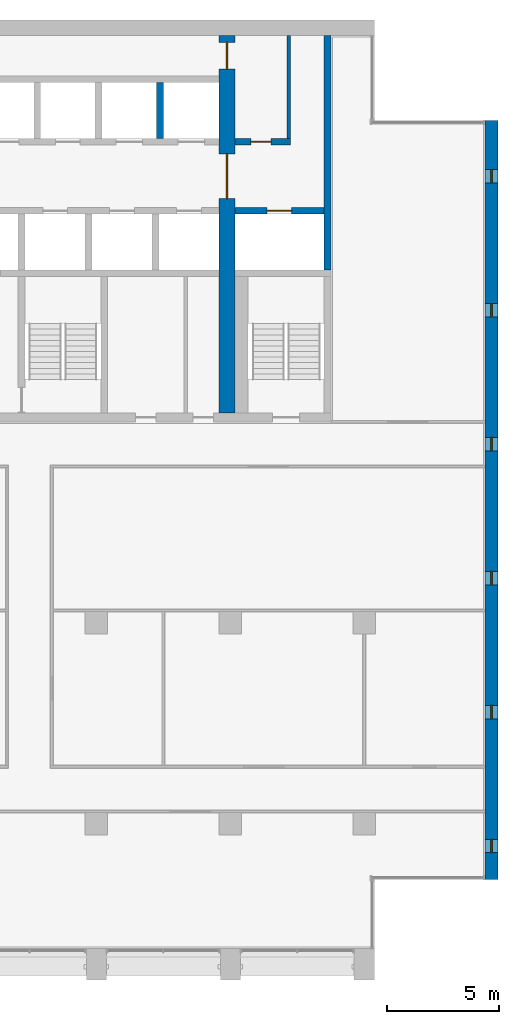
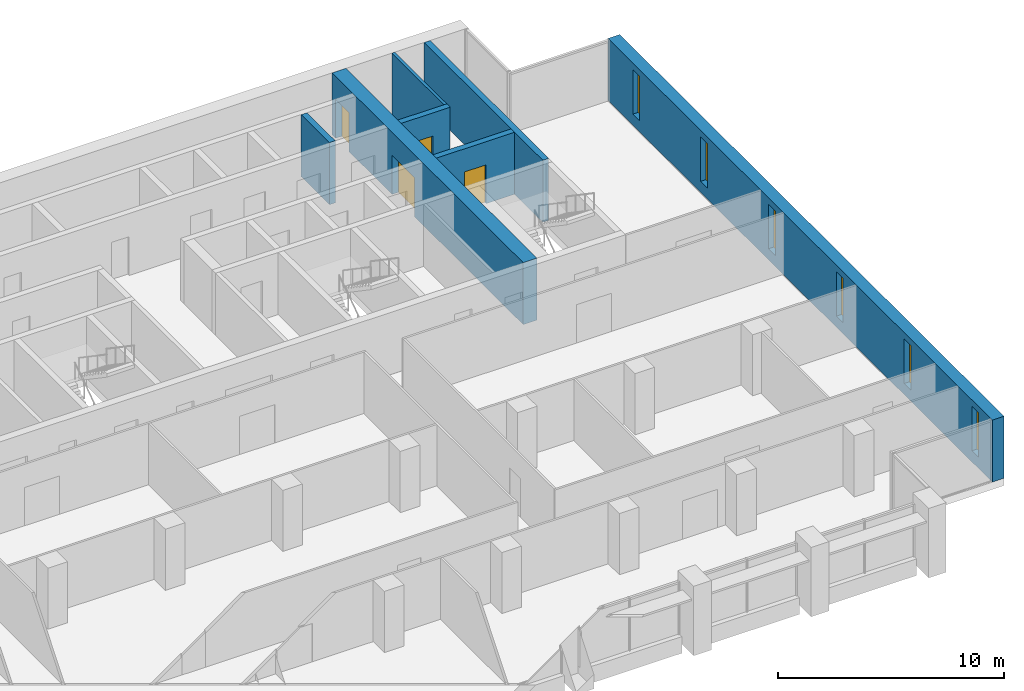
# One storey, part 12 of 17: 7 walls, 6 windows, 4 doors, 10 openings.
"""IFC4 building model written with IfcOpenShell, lengths in metres."""

import ifcopenshell
import ifcopenshell.guid

model = None  # the IFC model being written
_history = None  # IfcOwnerHistory: only IFC2X3 demands one
_inside = {}  # id of a spatial element -> (the spatial element, [elements in it])
_under = {}  # id of a project, library or spatial element -> (it, [spatial elements below it])
_declared = {}  # id of a project -> (the project, [libraries it declares])
_typed = {}  # id of a type object -> (the type object, [elements of that type])
_made_of = {}  # id of a material, layer set ... -> (it, [elements and type objects made of it])


def new_model(schema):
    """Start an empty IFC model of exactly this schema.

    Asked for "IFC4X3", IfcOpenShell would pick the latest addendum, in which some entities
    have other attributes; the version numbers below select the first issue.
    IFC2X3 requires an IfcOwnerHistory on every rooted entity: one is made here for all.
    """
    global model, _history
    if schema == "IFC4X3":
        model = ifcopenshell.file(schema_version=(4, 3, 0, 0))
    else:
        model = ifcopenshell.file(schema=schema)
    _inside.clear()
    _under.clear()
    _declared.clear()
    _typed.clear()
    _made_of.clear()
    _history = None
    if model.schema == "IFC2X3":
        org = make("IfcOrganization", Name="unknown")
        user = make(
            "IfcPersonAndOrganization",
            ThePerson=make("IfcPerson", FamilyName="unknown"),
            TheOrganization=org,
        )
        app = make(
            "IfcApplication",
            ApplicationDeveloper=org,
            Version="unknown",
            ApplicationFullName="unknown",
            ApplicationIdentifier="unknown",
        )
        _history = make(
            "IfcOwnerHistory",
            OwningUser=user,
            OwningApplication=app,
            ChangeAction="ADDED",
            CreationDate=0,
        )
    return model


def make(cls, **values):
    """One entity of the class cls with the attributes given. An attribute that is None is left unset."""
    return model.create_entity(
        cls, **{name: value for name, value in values.items() if value is not None}
    )


def rooted(cls, **values):
    """An entity with a GlobalId (a new one), such as an element, a storey or a relation."""
    return make(cls, GlobalId=ifcopenshell.guid.new(), OwnerHistory=_history, **values)


def si_unit(unit_type, name, prefix=None):
    """IfcSIUnit, for example si_unit("LENGTHUNIT", "METRE", prefix="MILLI")."""
    return make("IfcSIUnit", UnitType=unit_type, Prefix=prefix, Name=name)


def assignment(units):
    """IfcUnitAssignment: the units of a project."""
    return None if units is None else make("IfcUnitAssignment", Units=units)


def point(xyz):
    """IfcCartesianPoint."""
    return None if xyz is None else make("IfcCartesianPoint", Coordinates=xyz)


def direction(xyz):
    """IfcDirection."""
    return None if xyz is None else make("IfcDirection", DirectionRatios=xyz)


def frame(location, z_axis=None, x_axis=None):
    """IfcAxis2Placement3D, a coordinate frame: its origin and axes. An axis left out is left unset."""
    return make(
        "IfcAxis2Placement3D",
        Location=point(location),
        Axis=direction(z_axis),
        RefDirection=direction(x_axis),
    )


def frame_2d(location, x_axis=None):
    """IfcAxis2Placement2D, a coordinate frame in the plane: its origin and x axis."""
    return make(
        "IfcAxis2Placement2D", Location=point(location), RefDirection=direction(x_axis)
    )


def origin():
    """The frame at (0, 0, 0) with its axes left unset."""
    return frame((0.0, 0.0, 0.0))


def place(relative_to, where):
    """IfcLocalPlacement: puts the frame where relative to a parent placement (None: the world)."""
    return make(
        "IfcLocalPlacement", PlacementRelTo=relative_to, RelativePlacement=where
    )


def context(
    kind, dimensions, precision=None, world=None, true_north=None, identifier=None
):
    """IfcGeometricRepresentationContext, for example the 3D "Model" context."""
    return make(
        "IfcGeometricRepresentationContext",
        ContextIdentifier=identifier,
        ContextType=kind,
        CoordinateSpaceDimension=dimensions,
        Precision=precision,
        WorldCoordinateSystem=world,
        TrueNorth=true_north,
    )


def subcontext(parent, identifier, kind, view, scale=None):
    """IfcGeometricRepresentationSubContext, for example "Body" below "Model"."""
    return make(
        "IfcGeometricRepresentationSubContext",
        ContextIdentifier=identifier,
        ContextType=kind,
        ParentContext=parent,
        TargetScale=scale,
        TargetView=view,
    )


def project(units=None, contexts=None):
    """IfcProject with its units and contexts."""
    return rooted(
        "IfcProject",
        Name="project",
        RepresentationContexts=contexts,
        UnitsInContext=assignment(units),
    )


def spatial(cls, under=None, at=None, **own):
    """A site, building, storey or space (cls), placed at a placement, below another one or the project."""
    s = rooted(cls, ObjectPlacement=at, **own)
    if under is not None:
        _under.setdefault(under.id(), (under, []))[1].append(s)
    return s


def profile(cls, at=None, kind="AREA", **sizes):
    """A parametric profile (cls). Its sizes go by their IFC names, for example OverallWidth=200.0."""
    return make(cls, ProfileType=kind, Position=at, **sizes)


def rectangle(**sizes):
    """IfcRectangleProfileDef."""
    return profile("IfcRectangleProfileDef", **sizes)


def extrude(swept, where, along, depth):
    """IfcExtrudedAreaSolid: the profile swept, set in the frame where, extruded along a direction by depth."""
    return make(
        "IfcExtrudedAreaSolid",
        SweptArea=swept,
        Position=where,
        ExtrudedDirection=direction(along),
        Depth=depth,
    )


def shape(context_of_items, identifier, shape_type, items):
    """IfcShapeRepresentation: the items that make up one representation, for example the "Body"."""
    return make(
        "IfcShapeRepresentation",
        ContextOfItems=context_of_items,
        RepresentationIdentifier=identifier,
        RepresentationType=shape_type,
        Items=items,
    )


def material(Name=None, Category=None):
    """IfcMaterial."""
    return make("IfcMaterial", Name=Name, Category=Category)


def layer(
    of_material, thickness, ventilated=None, Name=None, Category=None, Priority=None
):
    """IfcMaterialLayer: one layer of a wall or slab, of a material (None: an air gap)."""
    return make(
        "IfcMaterialLayer",
        Material=of_material,
        LayerThickness=thickness,
        IsVentilated=ventilated,
        Name=Name,
        Category=Category,
        Priority=Priority,
    )


def layer_set(layers, Name=None):
    """IfcMaterialLayerSet."""
    return make("IfcMaterialLayerSet", MaterialLayers=layers, LayerSetName=Name)


def made_of(thing, what):
    """Note that an element or type object is made of a material, layer set ...; save() writes the relation."""
    if what is not None:
        _made_of.setdefault(what.id(), (what, []))[1].append(thing)
    return thing


def type_object(cls, material=None, **own):
    """A type object (cls), such as IfcWallType, which elements share."""
    return made_of(rooted(cls, **own), material)


def element(
    cls,
    number,
    at=None,
    inside=None,
    cuts=None,
    type_object=None,
    material=None,
    context=None,
    identifier="Body",
    shape_type=None,
    held_by="IfcProductDefinitionShape",
    body=None,
    shapes=None,
    **own,
):
    """One element of the class cls, such as IfcWall. Its Tag is "e" and its number.

    at: its placement. inside: the storey or other place that contains it. cuts: it is an
    opening in that element (IfcRelVoidsElement). A single representation is given by context,
    identifier, shape_type and body (its items); several are given by shapes. held_by: the class
    of the entity that holds the representations. save() writes the other relations.
    """
    e = rooted(cls, Tag="e%d" % number, ObjectPlacement=at, **own)
    if body is not None:
        shapes = [shape(context, identifier, shape_type, body)]
    if shapes is not None:
        e.Representation = make(held_by, Representations=shapes)
    if inside is not None:
        _inside.setdefault(inside.id(), (inside, []))[1].append(e)
    if cuts is not None:
        rooted(
            "IfcRelVoidsElement", RelatingBuildingElement=cuts, RelatedOpeningElement=e
        )
    if type_object is not None:
        _typed.setdefault(type_object.id(), (type_object, []))[1].append(e)
    return made_of(e, material)


def fill(opening, filler):
    """IfcRelFillsElement: the door or window that sits in an opening."""
    return rooted(
        "IfcRelFillsElement",
        RelatingOpeningElement=opening,
        RelatedBuildingElement=filler,
    )


def aggregate(whole, parts):
    """IfcRelAggregates: a whole, such as a stair, and the parts it consists of."""
    return rooted("IfcRelAggregates", RelatingObject=whole, RelatedObjects=parts)


def save(model, path):
    """Write the relations noted so far, then the file.

    IfcRelAggregates (storeys below a building ...), IfcRelContainedInSpatialStructure (elements
    in a storey), IfcRelDefinesByType, IfcRelAssociatesMaterial and IfcRelDeclares: one each for
    every whole, place, type object, material and project.
    """
    for whole, parts in _under.values():
        aggregate(whole, parts)
    for where, things in _inside.values():
        rooted(
            "IfcRelContainedInSpatialStructure",
            RelatedElements=things,
            RelatingStructure=where,
        )
    for kind, things in _typed.values():
        rooted("IfcRelDefinesByType", RelatedObjects=things, RelatingType=kind)
    for what, things in _made_of.values():
        rooted("IfcRelAssociatesMaterial", RelatedObjects=things, RelatingMaterial=what)
    for by, libraries in _declared.values():
        rooted("IfcRelDeclares", RelatingContext=by, RelatedDefinitions=libraries)
    model.write(path)


model = new_model("IFC4")

# Units and contexts
model_context = context("Model", 3, precision=1e-05, world=origin(), true_north=direction((0.0, 1.0)))
body_context = subcontext(model_context, "Body", "Model", "MODEL_VIEW")
ifc_project = project(units=[si_unit("LENGTHUNIT", "METRE"), si_unit("AREAUNIT", "SQUARE_METRE"), si_unit("VOLUMEUNIT", "CUBIC_METRE"), si_unit("PLANEANGLEUNIT", "RADIAN"), si_unit("MASSUNIT", "GRAM", prefix="KILO")], contexts=[model_context])

# Site, building, storey
site_placement = place(None, origin())
site = spatial("IfcSite", under=ifc_project, at=site_placement, CompositionType="ELEMENT")
building_placement = place(site_placement, origin())
building = spatial("IfcBuilding", under=site, at=building_placement, Name="Calvaro Tower", CompositionType="ELEMENT")
storey_placement = place(building_placement, frame((0.0, 0.0, 219.25)))
storey = spatial("IfcBuildingStorey", under=building, at=storey_placement, Name="L55", CompositionType="ELEMENT", Elevation=219.25)

# Wall
ifc_material_1 = material(Name="Blockwork partition", Category="masonry")
ifc_layer_1 = layer(ifc_material_1, 0.14990234375)
ifc_layer_set_1 = layer_set([ifc_layer_1], Name="Blockwork partition")
wall_type_1 = type_object("IfcWallType", Name="Core partition 150 REI 120", PredefinedType="PARTITIONING", material=ifc_layer_set_1)
wall_1_placement = place(storey_placement, frame((62.625, 40.699951171875, 0.0), z_axis=(0.0, 0.0, 1.0), x_axis=(0.0, 1.0, 0.0)))
element("IfcWall", 1, at=wall_1_placement, inside=storey, type_object=wall_type_1, Name="Core partition", PredefinedType="PARTITIONING", context=body_context, shape_type="SweptSolid", body=[
    extrude(rectangle(XDim=4.60009765625, YDim=0.14990234375, at=frame_2d((2.300048828125, 0.0))), origin(), (0.0, 0.0, 1.0), 3.35009765625),
])

# Wall, opening, door
ifc_material_2 = material(Name="Blockwork partition", Category="masonry")
ifc_layer_2 = layer(ifc_material_2, 0.300048828125)
ifc_layer_set_2 = layer_set([ifc_layer_2], Name="Blockwork partition")
wall_type_2 = type_object("IfcWallType", Name="Core partition 300 REI 120", PredefinedType="PARTITIONING", material=ifc_layer_set_2)
wall_2_placement = place(storey_placement, frame((60.199951171875, 40.550048828125, 0.0), z_axis=(0.0, 0.0, 1.0), x_axis=(1.0, 0.0, 0.0)))
wall_2 = element("IfcWall", 2, at=wall_2_placement, inside=storey, type_object=wall_type_2, Name="Core partition", PredefinedType="PARTITIONING", context=body_context, shape_type="SweptSolid", body=[
    extrude(rectangle(XDim=2.5, YDim=0.300048828125, at=frame_2d((1.25, 0.0))), origin(), (0.0, 0.0, 1.0), 3.35009765625),
])
opening_1_placement = place(wall_2_placement, frame((0.72509765625, 0.0, 0.0)))
opening_1 = element("IfcOpeningElement", 3, at=opening_1_placement, cuts=wall_2, Name="Opening RD9E", PredefinedType="OPENING", context=body_context, shape_type="SweptSolid", body=[
    extrude(rectangle(XDim=0.89990234375, YDim=2.10009765625, at=frame_2d((0.449951171875, 1.050048828125))), frame((0.0, 0.159912109375, 0.0), z_axis=(0.0, -1.0, 0.0), x_axis=(1.0, 0.0, 0.0)), (0.0, 0.0, 1.0), 0.320068359375),
])
ifc_material_3 = material(Name="Steel door set", Category="steel")
door_type_1 = type_object("IfcDoorType", Name="Room door 900 FD60", OperationType="SINGLE_SWING_LEFT", PredefinedType="DOOR", material=ifc_material_3)
door_1_placement = place(opening_1_placement, origin())
door_1 = element("IfcDoor", 4, at=door_1_placement, inside=storey, type_object=door_type_1, Name="Room door", OperationType="SINGLE_SWING_LEFT", OverallHeight=2.10009765625, OverallWidth=0.89990234375, PredefinedType="DOOR", context=body_context, shape_type="SweptSolid", body=[
    extrude(rectangle(XDim=0.89990234375, YDim=2.10009765625, at=frame_2d((0.449951171875, 1.050048828125))), frame((0.0, 0.02490234375, 0.0), z_axis=(0.0, -1.0, 0.0), x_axis=(1.0, 0.0, 0.0)), (0.0, 0.0, 1.0), 0.050048828125),
])
fill(opening_1, door_1)

# Wall
ifc_material_4 = material(Name="Concrete C50/60", Category="concrete")
ifc_layer_3 = layer(ifc_material_4, 0.300048828125)
ifc_layer_set_3 = layer_set([ifc_layer_3], Name="Concrete C50/60")
wall_type_3 = type_object("IfcWallType", Name="Core wall C50/60 300", PredefinedType="SHEAR", material=ifc_layer_set_3)
wall_3_placement = place(storey_placement, frame((64.35009765625, 34.800048828125, 0.0), z_axis=(0.0, 0.0, 1.0), x_axis=(0.0, 1.0, 0.0)))
element("IfcWall", 5, at=wall_3_placement, inside=storey, type_object=wall_type_3, Name="Core wall, boundary", PredefinedType="SHEAR", context=body_context, shape_type="SweptSolid", body=[
    extrude(rectangle(XDim=10.5, YDim=0.300048828125, at=frame_2d((5.25, 0.0))), origin(), (0.0, 0.0, 1.0), 3.35009765625),
])

# Wall, opening, door
wall_4_placement = place(storey_placement, frame((60.199951171875, 37.449951171875, 0.0), z_axis=(0.0, 0.0, 1.0), x_axis=(1.0, 0.0, 0.0)))
wall_4 = element("IfcWall", 6, at=wall_4_placement, inside=storey, type_object=wall_type_3, Name="Core wall, lift shaft", PredefinedType="SHEAR", context=body_context, shape_type="SweptSolid", body=[
    extrude(rectangle(XDim=4.0, YDim=0.300048828125, at=frame_2d((2.0, 0.0))), origin(), (0.0, 0.0, 1.0), 3.35009765625),
])
opening_2_placement = place(wall_4_placement, frame((1.449951171875, 0.0, 0.0)))
opening_2 = element("IfcOpeningElement", 7, at=opening_2_placement, cuts=wall_4, Name="Opening FF3", PredefinedType="OPENING", context=body_context, shape_type="SweptSolid", body=[
    extrude(rectangle(XDim=1.10009765625, YDim=2.10009765625, at=frame_2d((0.550048828125, 1.050048828125))), frame((0.0, 0.159912109375, 0.0), z_axis=(0.0, -1.0, 0.0), x_axis=(1.0, 0.0, 0.0)), (0.0, 0.0, 1.0), 0.320068359375),
])
ifc_material_5 = material(Name="Stainless steel", Category="steel")
door_type_2 = type_object("IfcDoorType", Name="Landing door 1100 E 60", OperationType="SLIDING_TO_LEFT", PredefinedType="DOOR", material=ifc_material_5)
door_2_placement = place(opening_2_placement, origin())
door_2 = element("IfcDoor", 8, at=door_2_placement, inside=storey, type_object=door_type_2, Name="Landing door FF3", OperationType="SLIDING_TO_LEFT", OverallHeight=2.10009765625, OverallWidth=1.10009765625, PredefinedType="DOOR", context=body_context, shape_type="SweptSolid", body=[
    extrude(rectangle(XDim=1.10009765625, YDim=2.10009765625, at=frame_2d((0.550048828125, 1.050048828125))), frame((0.0, 0.02490234375, 0.0), z_axis=(0.0, -1.0, 0.0), x_axis=(1.0, 0.0, 0.0)), (0.0, 0.0, 1.0), 0.050048828125),
])
fill(opening_2, door_2)

# Wall
wall_5_placement = place(storey_placement, frame((56.85009765625, 40.699951171875, 0.0), z_axis=(0.0, 0.0, 1.0), x_axis=(0.0, 1.0, 0.0)))
element("IfcWall", 9, at=wall_5_placement, inside=storey, type_object=wall_type_3, Name="Core wall, lift shaft", PredefinedType="SHEAR", context=body_context, shape_type="SweptSolid", body=[
    extrude(rectangle(XDim=2.5, YDim=0.300048828125, at=frame_2d((1.25, 0.0))), origin(), (0.0, 0.0, 1.0), 3.35009765625),
])

# Wall, openings, doors
ifc_material_6 = material(Name="Concrete C50/60", Category="concrete")
ifc_layer_4 = layer(ifc_material_6, 0.699951171875)
ifc_layer_set_4 = layer_set([ifc_layer_4], Name="Concrete C50/60")
wall_type_4 = type_object("IfcWallType", Name="Core wall C50/60 700", PredefinedType="SHEAR", material=ifc_layer_set_4)
wall_6_placement = place(storey_placement, frame((59.85009765625, 28.39990234375, 0.0), z_axis=(0.0, 0.0, 1.0), x_axis=(0.0, 1.0, 0.0)))
wall_6 = element("IfcWall", 10, at=wall_6_placement, inside=storey, type_object=wall_type_4, Name="Core wall, cross shear wall", PredefinedType="SHEAR", context=body_context, shape_type="SweptSolid", body=[
    extrude(rectangle(XDim=16.900146484375, YDim=0.699951171875, at=frame_2d((8.4501953125, 0.0))), origin(), (0.0, 0.0, 1.0), 3.35009765625),
])
opening_3_placement = place(wall_6_placement, frame((9.60009765625, 0.0, 0.0)))
opening_3 = element("IfcOpeningElement", 11, at=opening_3_placement, cuts=wall_6, Name="Opening DD20D", PredefinedType="OPENING", context=body_context, shape_type="SweptSolid", body=[
    extrude(rectangle(XDim=2.0, YDim=2.10009765625, at=frame_2d((1.0, 1.050048828125))), frame((0.0, 0.35986328125, 0.0), z_axis=(0.0, -1.0, 0.0), x_axis=(1.0, 0.0, 0.0)), (0.0, 0.0, 1.0), 0.719970703125),
])
opening_4_placement = place(wall_6_placement, frame((15.39990234375, 0.0, 0.0)))
opening_4 = element("IfcOpeningElement", 12, at=opening_4_placement, cuts=wall_6, Name="Opening FD12C", PredefinedType="OPENING", context=body_context, shape_type="SweptSolid", body=[
    extrude(rectangle(XDim=1.199951171875, YDim=2.10009765625, at=frame_2d((0.60009765625, 1.050048828125))), frame((0.0, 0.35986328125, 0.0), z_axis=(0.0, -1.0, 0.0), x_axis=(1.0, 0.0, 0.0)), (0.0, 0.0, 1.0), 0.719970703125),
])
ifc_material_7 = material(Name="Steel door set", Category="steel")
door_type_3 = type_object("IfcDoorType", Name="Fire door 1200 FD30", OperationType="SINGLE_SWING_LEFT", PredefinedType="DOOR", material=ifc_material_7)
door_3_placement = place(opening_4_placement, origin())
door_3 = element("IfcDoor", 13, at=door_3_placement, inside=storey, type_object=door_type_3, Name="Fire door", OperationType="SINGLE_SWING_LEFT", OverallHeight=2.10009765625, OverallWidth=1.199951171875, PredefinedType="DOOR", context=body_context, shape_type="SweptSolid", body=[
    extrude(rectangle(XDim=1.199951171875, YDim=2.10009765625, at=frame_2d((0.60009765625, 1.050048828125))), frame((0.0, 0.02490234375, 0.0), z_axis=(0.0, -1.0, 0.0), x_axis=(1.0, 0.0, 0.0)), (0.0, 0.0, 1.0), 0.050048828125),
])
fill(opening_4, door_3)
ifc_material_8 = material(Name="Steel door set", Category="steel")
door_type_4 = type_object("IfcDoorType", Name="Lobby double door 2000 FD30S", OperationType="DOUBLE_DOOR_SINGLE_SWING", PredefinedType="DOOR", material=ifc_material_8)
door_4_placement = place(opening_3_placement, origin())
door_4 = element("IfcDoor", 14, at=door_4_placement, inside=storey, type_object=door_type_4, Name="Lobby double door", OperationType="DOUBLE_DOOR_SINGLE_SWING", OverallHeight=2.10009765625, OverallWidth=2.0, PredefinedType="DOOR", context=body_context, shape_type="SweptSolid", body=[
    extrude(rectangle(XDim=2.0, YDim=2.10009765625, at=frame_2d((1.0, 1.050048828125))), frame((0.0, 0.02490234375, 0.0), z_axis=(0.0, -1.0, 0.0), x_axis=(1.0, 0.0, 0.0)), (0.0, 0.0, 1.0), 0.050048828125),
])
fill(opening_3, door_4)

# Wall, openings, windows
ifc_material_9 = material(Name="Concrete C50/60", Category="concrete")
ifc_layer_5 = layer(ifc_material_9, 0.60009765625)
ifc_layer_set_5 = layer_set([ifc_layer_5], Name="Concrete C50/60")
wall_type_5 = type_object("IfcWallType", Name="End wall 600 C50/60", PredefinedType="SHEAR", material=ifc_layer_set_5)
wall_7_placement = place(storey_placement, frame((71.699951171875, 7.5, 0.0), z_axis=(0.0, 0.0, 1.0), x_axis=(0.0, 1.0, 0.0)))
wall_7 = element("IfcWall", 15, at=wall_7_placement, inside=storey, type_object=wall_type_5, Name="End shear wall", PredefinedType="SHEAR", context=body_context, shape_type="SweptSolid", body=[
    extrude(rectangle(XDim=34.0, YDim=0.60009765625, at=frame_2d((17.0, 0.0))), origin(), (0.0, 0.0, 1.0), 3.35009765625),
])
opening_5_placement = place(wall_7_placement, frame((1.199951171875, 0.0, 0.60009765625)))
opening_5 = element("IfcOpeningElement", 16, at=opening_5_placement, cuts=wall_7, Name="Opening WE01", PredefinedType="OPENING", context=body_context, shape_type="SweptSolid", body=[
    extrude(rectangle(XDim=0.60009765625, YDim=2.39990234375, at=frame_2d((0.300048828125, 1.199951171875))), frame((0.0, 0.31005859375, 0.0), z_axis=(0.0, -1.0, 0.0), x_axis=(1.0, 0.0, 0.0)), (0.0, 0.0, 1.0), 0.6201171875),
])
opening_6_placement = place(wall_7_placement, frame((7.199951171875, 0.0, 0.60009765625)))
opening_6 = element("IfcOpeningElement", 17, at=opening_6_placement, cuts=wall_7, Name="Opening WE02", PredefinedType="OPENING", context=body_context, shape_type="SweptSolid", body=[
    extrude(rectangle(XDim=0.60009765625, YDim=2.39990234375, at=frame_2d((0.300048828125, 1.199951171875))), frame((0.0, 0.31005859375, 0.0), z_axis=(0.0, -1.0, 0.0), x_axis=(1.0, 0.0, 0.0)), (0.0, 0.0, 1.0), 0.6201171875),
])
opening_7_placement = place(wall_7_placement, frame((13.199951171875, 0.0, 0.60009765625)))
opening_7 = element("IfcOpeningElement", 18, at=opening_7_placement, cuts=wall_7, Name="Opening WE03", PredefinedType="OPENING", context=body_context, shape_type="SweptSolid", body=[
    extrude(rectangle(XDim=0.60009765625, YDim=2.39990234375, at=frame_2d((0.300048828125, 1.199951171875))), frame((0.0, 0.31005859375, 0.0), z_axis=(0.0, -1.0, 0.0), x_axis=(1.0, 0.0, 0.0)), (0.0, 0.0, 1.0), 0.6201171875),
])
opening_8_placement = place(wall_7_placement, frame((19.199951171875, 0.0, 0.60009765625)))
opening_8 = element("IfcOpeningElement", 19, at=opening_8_placement, cuts=wall_7, Name="Opening WE04", PredefinedType="OPENING", context=body_context, shape_type="SweptSolid", body=[
    extrude(rectangle(XDim=0.60009765625, YDim=2.39990234375, at=frame_2d((0.300048828125, 1.199951171875))), frame((0.0, 0.31005859375, 0.0), z_axis=(0.0, -1.0, 0.0), x_axis=(1.0, 0.0, 0.0)), (0.0, 0.0, 1.0), 0.6201171875),
])
opening_9_placement = place(wall_7_placement, frame((25.199951171875, 0.0, 0.60009765625)))
opening_9 = element("IfcOpeningElement", 20, at=opening_9_placement, cuts=wall_7, Name="Opening WE05", PredefinedType="OPENING", context=body_context, shape_type="SweptSolid", body=[
    extrude(rectangle(XDim=0.60009765625, YDim=2.39990234375, at=frame_2d((0.300048828125, 1.199951171875))), frame((0.0, 0.31005859375, 0.0), z_axis=(0.0, -1.0, 0.0), x_axis=(1.0, 0.0, 0.0)), (0.0, 0.0, 1.0), 0.6201171875),
])
opening_10_placement = place(wall_7_placement, frame((31.199951171875, 0.0, 0.60009765625)))
opening_10 = element("IfcOpeningElement", 21, at=opening_10_placement, cuts=wall_7, Name="Opening WE06", PredefinedType="OPENING", context=body_context, shape_type="SweptSolid", body=[
    extrude(rectangle(XDim=0.60009765625, YDim=2.39990234375, at=frame_2d((0.300048828125, 1.199951171875))), frame((0.0, 0.31005859375, 0.0), z_axis=(0.0, -1.0, 0.0), x_axis=(1.0, 0.0, 0.0)), (0.0, 0.0, 1.0), 0.6201171875),
])
ifc_material_10 = material(Name="Glass", Category="glass")
window_type = type_object("IfcWindowType", Name="Slit window 600 x 2400", PartitioningType="SINGLE_PANEL", PredefinedType="WINDOW", material=ifc_material_10)
window_1_placement = place(opening_5_placement, origin())
window_1 = element("IfcWindow", 22, at=window_1_placement, inside=storey, type_object=window_type, Name="Window WE01", OverallHeight=2.39990234375, OverallWidth=0.60009765625, PartitioningType="SINGLE_PANEL", PredefinedType="WINDOW", context=body_context, shape_type="SweptSolid", body=[
    extrude(rectangle(XDim=0.60009765625, YDim=2.39990234375, at=frame_2d((0.300048828125, 1.199951171875))), frame((0.0, 0.030029296875, 0.0), z_axis=(0.0, -1.0, 0.0), x_axis=(1.0, 0.0, 0.0)), (0.0, 0.0, 1.0), 0.06005859375),
])
fill(opening_5, window_1)
window_2_placement = place(opening_6_placement, origin())
window_2 = element("IfcWindow", 23, at=window_2_placement, inside=storey, type_object=window_type, Name="Window WE02", OverallHeight=2.39990234375, OverallWidth=0.60009765625, PartitioningType="SINGLE_PANEL", PredefinedType="WINDOW", context=body_context, shape_type="SweptSolid", body=[
    extrude(rectangle(XDim=0.60009765625, YDim=2.39990234375, at=frame_2d((0.300048828125, 1.199951171875))), frame((0.0, 0.030029296875, 0.0), z_axis=(0.0, -1.0, 0.0), x_axis=(1.0, 0.0, 0.0)), (0.0, 0.0, 1.0), 0.06005859375),
])
fill(opening_6, window_2)
window_3_placement = place(opening_7_placement, origin())
window_3 = element("IfcWindow", 24, at=window_3_placement, inside=storey, type_object=window_type, Name="Window WE03", OverallHeight=2.39990234375, OverallWidth=0.60009765625, PartitioningType="SINGLE_PANEL", PredefinedType="WINDOW", context=body_context, shape_type="SweptSolid", body=[
    extrude(rectangle(XDim=0.60009765625, YDim=2.39990234375, at=frame_2d((0.300048828125, 1.199951171875))), frame((0.0, 0.030029296875, 0.0), z_axis=(0.0, -1.0, 0.0), x_axis=(1.0, 0.0, 0.0)), (0.0, 0.0, 1.0), 0.06005859375),
])
fill(opening_7, window_3)
window_4_placement = place(opening_8_placement, origin())
window_4 = element("IfcWindow", 25, at=window_4_placement, inside=storey, type_object=window_type, Name="Window WE04", OverallHeight=2.39990234375, OverallWidth=0.60009765625, PartitioningType="SINGLE_PANEL", PredefinedType="WINDOW", context=body_context, shape_type="SweptSolid", body=[
    extrude(rectangle(XDim=0.60009765625, YDim=2.39990234375, at=frame_2d((0.300048828125, 1.199951171875))), frame((0.0, 0.030029296875, 0.0), z_axis=(0.0, -1.0, 0.0), x_axis=(1.0, 0.0, 0.0)), (0.0, 0.0, 1.0), 0.06005859375),
])
fill(opening_8, window_4)
window_5_placement = place(opening_9_placement, origin())
window_5 = element("IfcWindow", 26, at=window_5_placement, inside=storey, type_object=window_type, Name="Window WE05", OverallHeight=2.39990234375, OverallWidth=0.60009765625, PartitioningType="SINGLE_PANEL", PredefinedType="WINDOW", context=body_context, shape_type="SweptSolid", body=[
    extrude(rectangle(XDim=0.60009765625, YDim=2.39990234375, at=frame_2d((0.300048828125, 1.199951171875))), frame((0.0, 0.030029296875, 0.0), z_axis=(0.0, -1.0, 0.0), x_axis=(1.0, 0.0, 0.0)), (0.0, 0.0, 1.0), 0.06005859375),
])
fill(opening_9, window_5)
window_6_placement = place(opening_10_placement, origin())
window_6 = element("IfcWindow", 27, at=window_6_placement, inside=storey, type_object=window_type, Name="Window WE06", OverallHeight=2.39990234375, OverallWidth=0.60009765625, PartitioningType="SINGLE_PANEL", PredefinedType="WINDOW", context=body_context, shape_type="SweptSolid", body=[
    extrude(rectangle(XDim=0.60009765625, YDim=2.39990234375, at=frame_2d((0.300048828125, 1.199951171875))), frame((0.0, 0.030029296875, 0.0), z_axis=(0.0, -1.0, 0.0), x_axis=(1.0, 0.0, 0.0)), (0.0, 0.0, 1.0), 0.06005859375),
])
fill(opening_10, window_6)

save(model, "model.ifc")
